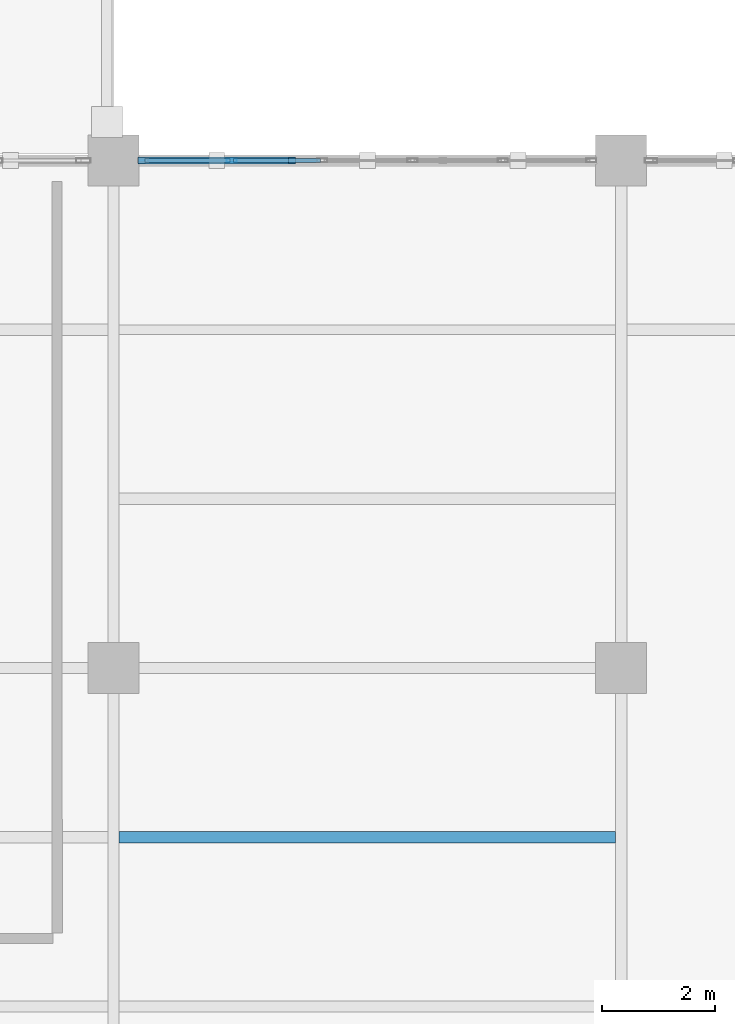
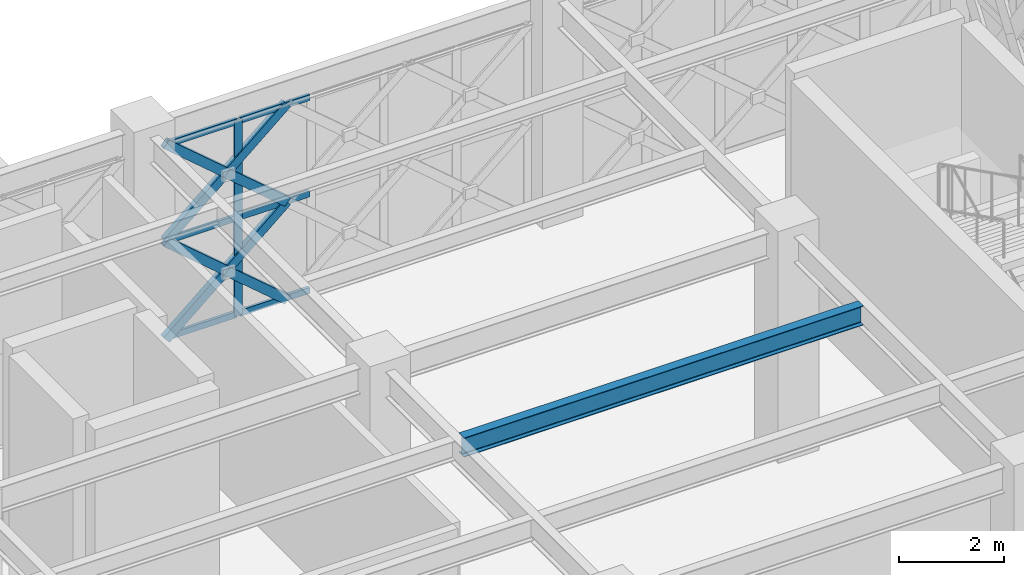
# One storey, part 25 of 155: 13 members, 1 beam, 1 element without a shape of its own.
"""IFC4 building model written with IfcOpenShell, lengths in metres."""

from ifc_helpers import new_model, si_unit, direction, frame, origin, origin_2d, place, context, subcontext, project, spatial, hollow_rectangle, i_section, extrude, material, material_profile, profile_set, type_object, element, aggregate, save


model = new_model("IFC4")

# Units and contexts
model_context = context("Model", 3, precision=1e-05, world=origin(), true_north=direction((0.0, 1.0)))
body_context = subcontext(model_context, "Body", "Model", "MODEL_VIEW")
ifc_project = project(units=[si_unit("LENGTHUNIT", "METRE"), si_unit("AREAUNIT", "SQUARE_METRE"), si_unit("VOLUMEUNIT", "CUBIC_METRE"), si_unit("PLANEANGLEUNIT", "RADIAN"), si_unit("MASSUNIT", "GRAM", prefix="KILO")], contexts=[model_context])

# Site, building, storey
site_placement = place(None, origin())
site = spatial("IfcSite", under=ifc_project, at=site_placement, CompositionType="ELEMENT")
building_placement = place(site_placement, origin())
building = spatial("IfcBuilding", under=site, at=building_placement, Name="Haizhuo Lancet Aquarium", CompositionType="ELEMENT")
storey_placement = place(building_placement, frame((0.0, 0.0, 10.800048828125)))
storey = spatial("IfcBuildingStorey", under=building, at=storey_placement, Name="L02", CompositionType="ELEMENT", Elevation=10.800048828125)

# Curtain wall, members
ifc_material_1 = material(Name="Aluminium 6063-T6", Category="aluminium")
curtain_wall_type = type_object("IfcCurtainWallType", Name="CWO-8010x4560", PredefinedType="NOTDEFINED", material=ifc_material_1)
curtain_wall_placement = place(storey_placement, origin())
curtain_wall = element("IfcCurtainWall", 1, at=curtain_wall_placement, inside=storey, type_object=curtain_wall_type, Name="L02 curtain wall CW-V6-L02-217", PredefinedType="NOTDEFINED")
ifc_material_profile_1 = material_profile(ifc_material_1, hollow_rectangle(XDim=0.06494140625, YDim=0.179931640625, WallThickness=0.00390625, at=origin_2d()), Name="ALU-M 65x180x4")
ifc_profile_set_1 = profile_set([ifc_material_profile_1], Name="Aluminium 6063-T6")
member_type_1 = type_object("IfcMemberType", Name="CW-MUL-1", PredefinedType="MULLION", material=ifc_profile_set_1)
member_1_placement = place(storey_placement, frame((-51.903076171875, -9.0, 0.0), z_axis=(0.0, 0.0, 1.0), x_axis=(0.0, 1.0, 0.0)))
member_1 = element("IfcMember", 2, at=member_1_placement, type_object=member_type_1, Name="CWO-80x45 mullion 2", PredefinedType="MULLION", context=body_context, shape_type="SweptSolid", body=[
    extrude(hollow_rectangle(XDim=0.06494140625, YDim=0.179931640625, WallThickness=0.00390625, at=origin_2d()), origin(), (0.0, 0.0, 1.0), 4.56005859375),
])
ifc_material_profile_2 = material_profile(ifc_material_1, hollow_rectangle(XDim=0.06494140625, YDim=0.139892578125, WallThickness=0.00390625, at=origin_2d()), Name="ALU-T 65x140x4")
ifc_profile_set_2 = profile_set([ifc_material_profile_2], Name="Aluminium 6063-T6")
member_type_2 = type_object("IfcMemberType", Name="CW-TRN-1", PredefinedType="NOTDEFINED", material=ifc_profile_set_2)
member_2_placement = place(storey_placement, frame((-53.43994140625, -9.0, 0.032958984375), z_axis=(1.0, 0.0, 0.0), x_axis=(0.0, 1.0, 0.0)))
member_2 = element("IfcMember", 3, at=member_2_placement, type_object=member_type_2, Name="CWO-80x45 transom 1.1", ObjectType="TRANSOM", PredefinedType="USERDEFINED", context=body_context, shape_type="SweptSolid", body=[
    extrude(hollow_rectangle(XDim=0.06494140625, YDim=0.139892578125, WallThickness=0.00390625, at=origin_2d()), origin(), (0.0, 0.0, 1.0), 1.50390625),
])
member_3_placement = place(storey_placement, frame((-53.43994140625, -9.0, 2.280029296875), z_axis=(1.0, 0.0, 0.0), x_axis=(0.0, 1.0, 0.0)))
member_3 = element("IfcMember", 4, at=member_3_placement, type_object=member_type_2, Name="CWO-80x45 transom 1.2", ObjectType="TRANSOM", PredefinedType="USERDEFINED", context=body_context, shape_type="SweptSolid", body=[
    extrude(hollow_rectangle(XDim=0.06494140625, YDim=0.139892578125, WallThickness=0.00390625, at=origin_2d()), origin(), (0.0, 0.0, 1.0), 1.50390625),
])
member_4_placement = place(storey_placement, frame((-53.43994140625, -9.0, 4.52685546875), z_axis=(1.0, 0.0, 0.0), x_axis=(0.0, 1.0, 0.0)))
member_4 = element("IfcMember", 5, at=member_4_placement, type_object=member_type_2, Name="CWO-80x45 transom 1.3", ObjectType="TRANSOM", PredefinedType="USERDEFINED", context=body_context, shape_type="SweptSolid", body=[
    extrude(hollow_rectangle(XDim=0.06494140625, YDim=0.139892578125, WallThickness=0.00390625, at=origin_2d()), origin(), (0.0, 0.0, 1.0), 1.50390625),
])
member_5_placement = place(storey_placement, frame((-51.8701171875, -9.0, 0.032958984375), z_axis=(1.0, 0.0, 0.0), x_axis=(0.0, 1.0, 0.0)))
member_5 = element("IfcMember", 6, at=member_5_placement, type_object=member_type_2, Name="CWO-80x45 transom 2.1", ObjectType="TRANSOM", PredefinedType="USERDEFINED", context=body_context, shape_type="SweptSolid", body=[
    extrude(hollow_rectangle(XDim=0.06494140625, YDim=0.139892578125, WallThickness=0.00390625, at=origin_2d()), origin(), (0.0, 0.0, 1.0), 1.5361328125),
])
member_6_placement = place(storey_placement, frame((-51.8701171875, -9.0, 2.280029296875), z_axis=(1.0, 0.0, 0.0), x_axis=(0.0, 1.0, 0.0)))
member_6 = element("IfcMember", 7, at=member_6_placement, type_object=member_type_2, Name="CWO-80x45 transom 2.2", ObjectType="TRANSOM", PredefinedType="USERDEFINED", context=body_context, shape_type="SweptSolid", body=[
    extrude(hollow_rectangle(XDim=0.06494140625, YDim=0.139892578125, WallThickness=0.00390625, at=origin_2d()), origin(), (0.0, 0.0, 1.0), 1.5361328125),
])
member_7_placement = place(storey_placement, frame((-51.8701171875, -9.0, 4.52685546875), z_axis=(1.0, 0.0, 0.0), x_axis=(0.0, 1.0, 0.0)))
member_7 = element("IfcMember", 8, at=member_7_placement, type_object=member_type_2, Name="CWO-80x45 transom 2.3", ObjectType="TRANSOM", PredefinedType="USERDEFINED", context=body_context, shape_type="SweptSolid", body=[
    extrude(hollow_rectangle(XDim=0.06494140625, YDim=0.139892578125, WallThickness=0.00390625, at=origin_2d()), origin(), (0.0, 0.0, 1.0), 1.5361328125),
])
aggregate(curtain_wall, [member_1, member_2, member_3, member_4, member_5, member_6, member_7])

# Beam
ifc_material_2 = material(Name="Steel S355", Category="steel")
ifc_material_profile_3 = material_profile(ifc_material_2, i_section(OverallWidth=0.199951171875, OverallDepth=0.449951171875, WebThickness=0.009033203125, FlangeThickness=0.013916015625, FilletRadius=0.01806640625, at=origin_2d()), Name="HN 450x200x9x14")
ifc_profile_set_3 = profile_set([ifc_material_profile_3], Name="Steel S355")
beam_type = type_object("IfcBeamType", Name="JST-ST-HN450", PredefinedType="JOIST", material=ifc_profile_set_3)
beam_placement = place(storey_placement, frame((-53.89990234375, -21.0, 4.93505859375), z_axis=(1.0, 0.0, 0.0), x_axis=(0.0, 1.0, 0.0)))
element("IfcBeam", 9, at=beam_placement, inside=storey, type_object=beam_type, Name="L02 V6 secondary floor joist 13", PredefinedType="JOIST", context=body_context, shape_type="SweptSolid", body=[
    extrude(i_section(OverallWidth=0.199951171875, OverallDepth=0.449951171875, WebThickness=0.009033203125, FlangeThickness=0.013916015625, FilletRadius=0.01806640625, at=origin_2d()), origin(), (0.0, 0.0, 1.0), 8.7998046875),
])

# Members
ifc_material_profile_4 = material_profile(ifc_material_2, hollow_rectangle(XDim=0.1201171875, YDim=0.199951171875, WallThickness=0.008056640625, at=origin_2d()), Name="RHS 120x200x8")
ifc_profile_set_4 = profile_set([ifc_material_profile_4], Name="Steel S355")
member_type_3 = type_object("IfcMemberType", Name="MEM-LB-RHS120x200", PredefinedType="BRACE", material=ifc_profile_set_4)
member_8_placement = place(storey_placement, frame((-53.5048828125, -9.0, 0.0), z_axis=(0.760448077829, 0.0, 0.649398738007), x_axis=(0.0, 1.0, 0.0)))
element("IfcMember", 10, at=member_8_placement, inside=storey, type_object=member_type_3, Name="Gothic lancet continuous diagonal brace CW-V6-L02-217 1A", PredefinedType="BRACE", context=body_context, shape_type="SweptSolid", body=[
    extrude(hollow_rectangle(XDim=0.1201171875, YDim=0.199951171875, WallThickness=0.008056640625, at=origin_2d()), origin(), (0.0, 0.0, 1.0), 3.510986328125),
])
member_9_placement = place(storey_placement, frame((-50.8349609375, -9.0, 0.0), z_axis=(-0.760482417667, 0.0, 0.649358523791), x_axis=(0.0, -1.0, 0.0)))
element("IfcMember", 11, at=member_9_placement, inside=storey, type_object=member_type_3, Name="Gothic lancet split diagonal brace CW-V6-L02-217 1B1", PredefinedType="BRACE", context=body_context, shape_type="SweptSolid", body=[
    extrude(hollow_rectangle(XDim=0.1201171875, YDim=0.199951171875, WallThickness=0.008056640625, at=origin_2d()), origin(), (0.0, 0.0, 1.0), 1.75537109375),
])
member_10_placement = place(storey_placement, frame((-52.169921875, -9.0, 1.139892578125), z_axis=(-0.760413738967, 0.0, 0.649438946777), x_axis=(0.0, -1.0, 0.0)))
element("IfcMember", 12, at=member_10_placement, inside=storey, type_object=member_type_3, Name="Gothic lancet split diagonal brace CW-V6-L02-217 1B2", PredefinedType="BRACE", context=body_context, shape_type="SweptSolid", body=[
    extrude(hollow_rectangle(XDim=0.1201171875, YDim=0.199951171875, WallThickness=0.008056640625, at=origin_2d()), origin(), (0.0, 0.0, 1.0), 1.755615234375),
])
member_11_placement = place(storey_placement, frame((-53.5048828125, -9.0, 2.280029296875), z_axis=(0.760448077829, 0.0, 0.649398738007), x_axis=(0.0, 1.0, 0.0)))
element("IfcMember", 13, at=member_11_placement, inside=storey, type_object=member_type_3, Name="Gothic lancet continuous diagonal brace CW-V6-L02-217 2A", PredefinedType="BRACE", context=body_context, shape_type="SweptSolid", body=[
    extrude(hollow_rectangle(XDim=0.1201171875, YDim=0.199951171875, WallThickness=0.008056640625, at=origin_2d()), origin(), (0.0, 0.0, 1.0), 3.510986328125),
])
member_12_placement = place(storey_placement, frame((-50.8349609375, -9.0, 2.280029296875), z_axis=(-0.760482417667, 0.0, 0.649358523791), x_axis=(0.0, -1.0, 0.0)))
element("IfcMember", 14, at=member_12_placement, inside=storey, type_object=member_type_3, Name="Gothic lancet split diagonal brace CW-V6-L02-217 2B1", PredefinedType="BRACE", context=body_context, shape_type="SweptSolid", body=[
    extrude(hollow_rectangle(XDim=0.1201171875, YDim=0.199951171875, WallThickness=0.008056640625, at=origin_2d()), origin(), (0.0, 0.0, 1.0), 1.75537109375),
])
member_13_placement = place(storey_placement, frame((-52.169921875, -9.0, 3.419921875), z_axis=(-0.760413738967, 0.0, 0.649438946777), x_axis=(0.0, -1.0, 0.0)))
element("IfcMember", 15, at=member_13_placement, inside=storey, type_object=member_type_3, Name="Gothic lancet split diagonal brace CW-V6-L02-217 2B2", PredefinedType="BRACE", context=body_context, shape_type="SweptSolid", body=[
    extrude(hollow_rectangle(XDim=0.1201171875, YDim=0.199951171875, WallThickness=0.008056640625, at=origin_2d()), origin(), (0.0, 0.0, 1.0), 1.755615234375),
])

save(model, "model.ifc")
